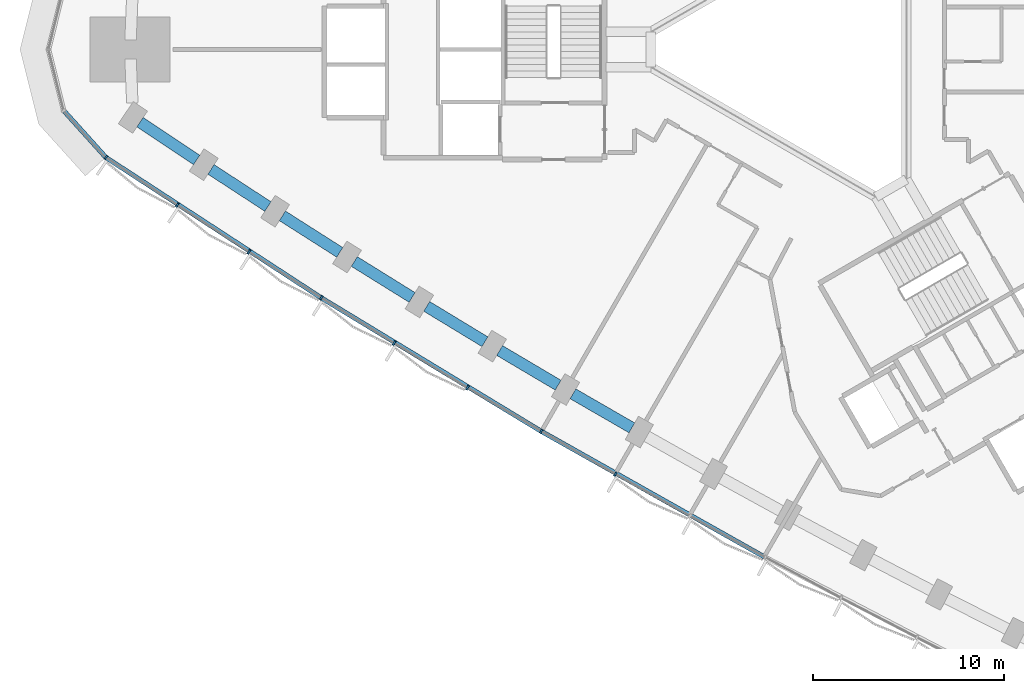
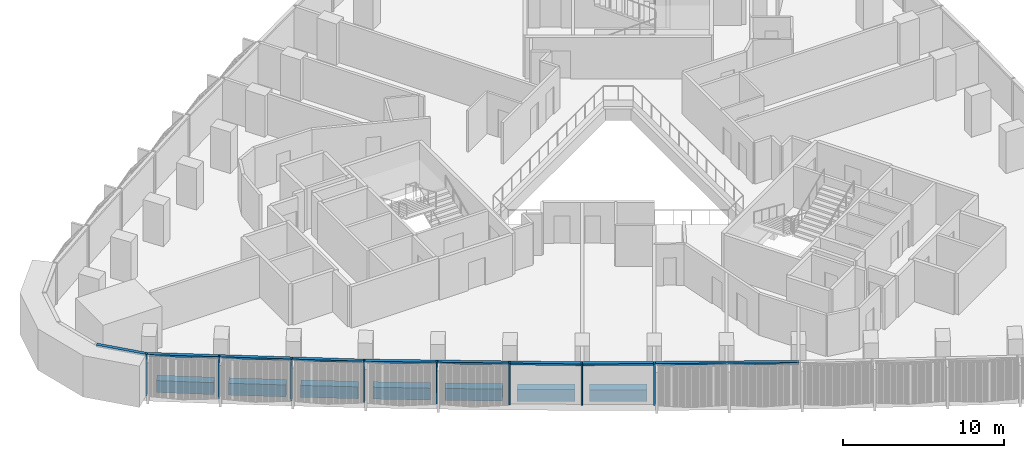
# One storey, part 2 of 15: 12 members, 7 beams, 2 elements without a shape of their own.
"""IFC4 building model written with IfcOpenShell, lengths in metres."""

from ifc_helpers import new_model, si_unit, direction, frame, origin, origin_2d, place, context, subcontext, project, spatial, rectangle, extrude, material, material_profile, profile_set, type_object, element, aggregate, save


model = new_model("IFC4")

# Units and contexts
model_context = context("Model", 3, precision=1e-05, world=origin(), true_north=direction((0.0, 1.0)))
body_context = subcontext(model_context, "Body", "Model", "MODEL_VIEW")
ifc_project = project(units=[si_unit("LENGTHUNIT", "METRE"), si_unit("AREAUNIT", "SQUARE_METRE"), si_unit("VOLUMEUNIT", "CUBIC_METRE"), si_unit("PLANEANGLEUNIT", "RADIAN"), si_unit("MASSUNIT", "GRAM", prefix="KILO")], contexts=[model_context])

# Site, building, storey
site_placement = place(None, origin())
site = spatial("IfcSite", under=ifc_project, at=site_placement, CompositionType="ELEMENT")
building_placement = place(site_placement, origin())
building = spatial("IfcBuilding", under=site, at=building_placement, Name="Tamra Quay Hotel Tower", CompositionType="ELEMENT")
storey_placement = place(building_placement, frame((0.0, 0.0, 53.0)))
storey = spatial("IfcBuildingStorey", under=building, at=storey_placement, Name="L11", CompositionType="ELEMENT", Elevation=53.0)

# Curtain wall, members
ifc_material_1 = material(Name="Aluminium 6063 anodised dark grey", Category="aluminium")
curtain_wall_type_1 = type_object("IfcCurtainWallType", Name="CW3 CURTAIN WALL", PredefinedType="NOTDEFINED", material=ifc_material_1)
curtain_wall_1_placement = place(storey_placement, origin())
curtain_wall_1 = element("IfcCurtainWall", 1, at=curtain_wall_1_placement, inside=storey, type_object=curtain_wall_type_1, Name="CW3 south-west face L11", PredefinedType="NOTDEFINED")
ifc_material_profile_1 = material_profile(ifc_material_1, rectangle(XDim=0.239990234375, YDim=0.10009765625, at=origin_2d()), Name="MULLION 100X240")
ifc_profile_set_1 = profile_set([ifc_material_profile_1], Name="Aluminium 6063 anodised dark grey")
member_type_1 = type_object("IfcMemberType", Name="MULLION CW3 Z1", PredefinedType="MULLION", material=ifc_profile_set_1)
member_1_placement = place(storey_placement, frame((-37.001708984375, -5.6669921875, 0.0), z_axis=(0.0, 0.0, 1.0), x_axis=(-0.654196739281, -0.756324418695, 0.0)))
member_1 = element("IfcMember", 2, at=member_1_placement, type_object=member_type_1, Name="CW3 mullion L11.SW.1", PredefinedType="MULLION", context=body_context, shape_type="SweptSolid", body=[
    extrude(rectangle(XDim=0.239990234375, YDim=0.10009765625, at=origin_2d()), origin(), (0.0, 0.0, 1.0), 3.125),
])
member_2_placement = place(storey_placement, frame((-33.261474609375, -8.162841796875, 0.0), z_axis=(0.0, 0.0, 1.0), x_axis=(-0.550591210923, -0.834775010679, 0.0)))
member_2 = element("IfcMember", 3, at=member_2_placement, type_object=member_type_1, Name="CW3 mullion L11.SW.2", PredefinedType="MULLION", context=body_context, shape_type="SweptSolid", body=[
    extrude(rectangle(XDim=0.239990234375, YDim=0.10009765625, at=origin_2d()), origin(), (0.0, 0.0, 1.0), 3.125),
])
member_3_placement = place(storey_placement, frame((-29.49267578125, -10.61962890625, 0.0), z_axis=(0.0, 0.0, 1.0), x_axis=(-0.541560699791, -0.840661649204, 0.0)))
member_3 = element("IfcMember", 4, at=member_3_placement, type_object=member_type_1, Name="CW3 mullion L11.SW.3", PredefinedType="MULLION", context=body_context, shape_type="SweptSolid", body=[
    extrude(rectangle(XDim=0.239990234375, YDim=0.10009765625, at=origin_2d()), origin(), (0.0, 0.0, 1.0), 3.125),
])
member_4_placement = place(storey_placement, frame((-25.698974609375, -13.03466796875, 0.0), z_axis=(0.0, 0.0, 1.0), x_axis=(-0.532446769932, -0.846463488397, 0.0)))
member_4 = element("IfcMember", 5, at=member_4_placement, type_object=member_type_1, Name="CW3 mullion L11.SW.4", PredefinedType="MULLION", context=body_context, shape_type="SweptSolid", body=[
    extrude(rectangle(XDim=0.239990234375, YDim=0.10009765625, at=origin_2d()), origin(), (0.0, 0.0, 1.0), 3.125),
])
member_5_placement = place(storey_placement, frame((-21.879150390625, -15.40869140625, 0.0), z_axis=(0.0, 0.0, 1.0), x_axis=(-0.523257107809, -0.852174864173, 0.0)))
member_5 = element("IfcMember", 6, at=member_5_placement, type_object=member_type_1, Name="CW3 mullion L11.SW.5", PredefinedType="MULLION", context=body_context, shape_type="SweptSolid", body=[
    extrude(rectangle(XDim=0.239990234375, YDim=0.10009765625, at=origin_2d()), origin(), (0.0, 0.0, 1.0), 3.125),
])
member_6_placement = place(storey_placement, frame((-18.03271484375, -17.741943359375, 0.0), z_axis=(0.0, 0.0, 1.0), x_axis=(-0.514004208519, -0.857787662318, 0.0)))
member_6 = element("IfcMember", 7, at=member_6_placement, type_object=member_type_1, Name="CW3 mullion L11.SW.6", PredefinedType="MULLION", context=body_context, shape_type="SweptSolid", body=[
    extrude(rectangle(XDim=0.239990234375, YDim=0.10009765625, at=origin_2d()), origin(), (0.0, 0.0, 1.0), 3.125),
])
member_7_placement = place(storey_placement, frame((-14.162353515625, -20.03271484375, 0.0), z_axis=(0.0, 0.0, 1.0), x_axis=(-0.504684780346, -0.863303696556, 0.0)))
member_7 = element("IfcMember", 8, at=member_7_placement, type_object=member_type_1, Name="CW3 mullion L11.SW.7", PredefinedType="MULLION", context=body_context, shape_type="SweptSolid", body=[
    extrude(rectangle(XDim=0.239990234375, YDim=0.10009765625, at=origin_2d()), origin(), (0.0, 0.0, 1.0), 3.125),
])
member_8_placement = place(storey_placement, frame((-10.267578125, -22.281494140625, 0.0), z_axis=(0.0, 0.0, 1.0), x_axis=(-0.495300542226, -0.868721688961, 0.0)))
member_8 = element("IfcMember", 9, at=member_8_placement, type_object=member_type_1, Name="CW3 mullion L11.SW.8", PredefinedType="MULLION", context=body_context, shape_type="SweptSolid", body=[
    extrude(rectangle(XDim=0.239990234375, YDim=0.10009765625, at=origin_2d()), origin(), (0.0, 0.0, 1.0), 3.125),
])

# Beams
ifc_material_2 = material(Name="Concrete M60", Category="concrete")
ifc_material_profile_2 = material_profile(ifc_material_2, rectangle(XDim=0.60009765625, YDim=0.89990234375, at=origin_2d()), Name="SPANDREL BEAM RC 600x900")
ifc_profile_set_2 = profile_set([ifc_material_profile_2], Name="Concrete M60")
beam_type = type_object("IfcBeamType", Name="SPANDREL BEAM RC 600x900", PredefinedType="SPANDREL", material=ifc_profile_set_2)
beam_1_placement = place(storey_placement, frame((-35.209228515625, -3.814697265625, -0.925048828125), z_axis=(0.831818807601, -0.555047269448, 0.0), x_axis=(0.555047269448, 0.831818807601, 0.0)))
element("IfcBeam", 10, at=beam_1_placement, inside=storey, type_object=beam_type, Name="BM-SP1-030-L11", PredefinedType="SPANDREL", context=body_context, shape_type="SweptSolid", body=[
    extrude(rectangle(XDim=0.60009765625, YDim=0.89990234375, at=origin_2d()), origin(), (0.0, 0.0, 1.0), 3.57080078125),
])
beam_2_placement = place(storey_placement, frame((-31.48779296875, -6.292236328125, -0.925048828125), z_axis=(0.837739819239, -0.546069588296, 0.0), x_axis=(0.546069588296, 0.837739819239, 0.0)))
element("IfcBeam", 11, at=beam_2_placement, inside=storey, type_object=beam_type, Name="BM-SP1-031-L11", PredefinedType="SPANDREL", context=body_context, shape_type="SweptSolid", body=[
    extrude(rectangle(XDim=0.60009765625, YDim=0.89990234375, at=origin_2d()), origin(), (0.0, 0.0, 1.0), 3.570068359375),
])
beam_3_placement = place(storey_placement, frame((-27.740478515625, -8.729248046875, -0.925048828125), z_axis=(0.843593906333, -0.53698167678, 0.0), x_axis=(0.53698167678, 0.843593906333, 0.0)))
element("IfcBeam", 12, at=beam_3_placement, inside=storey, type_object=beam_type, Name="BM-SP1-032-L11", PredefinedType="SPANDREL", context=body_context, shape_type="SweptSolid", body=[
    extrude(rectangle(XDim=0.60009765625, YDim=0.89990234375, at=origin_2d()), origin(), (0.0, 0.0, 1.0), 3.5703125),
])
beam_4_placement = place(storey_placement, frame((-23.966552734375, -11.125732421875, -0.925048828125), z_axis=(0.849320953317, -0.527876802158, 0.0), x_axis=(0.527876802158, 0.849320953317, 0.0)))
element("IfcBeam", 13, at=beam_4_placement, inside=storey, type_object=beam_type, Name="BM-SP1-033-L11", PredefinedType="SPANDREL", context=body_context, shape_type="SweptSolid", body=[
    extrude(rectangle(XDim=0.60009765625, YDim=0.89990234375, at=origin_2d()), origin(), (0.0, 0.0, 1.0), 3.570556640625),
])
beam_5_placement = place(storey_placement, frame((-20.1669921875, -13.4814453125, -0.925048828125), z_axis=(0.854966252085, -0.518683629775, 0.0), x_axis=(0.518683629775, 0.854966252085, 0.0)))
element("IfcBeam", 14, at=beam_5_placement, inside=storey, type_object=beam_type, Name="BM-SP1-034-L11", PredefinedType="SPANDREL", context=body_context, shape_type="SweptSolid", body=[
    extrude(rectangle(XDim=0.60009765625, YDim=0.89990234375, at=origin_2d()), origin(), (0.0, 0.0, 1.0), 3.56982421875),
])
beam_6_placement = place(storey_placement, frame((-16.3427734375, -15.79541015625, -0.925048828125), z_axis=(0.860524689034, -0.509408735264, 0.0), x_axis=(0.509408735264, 0.860524689034, 0.0)))
element("IfcBeam", 15, at=beam_6_placement, inside=storey, type_object=beam_type, Name="BM-SP1-035-L11", PredefinedType="SPANDREL", context=body_context, shape_type="SweptSolid", body=[
    extrude(rectangle(XDim=0.60009765625, YDim=0.89990234375, at=origin_2d()), origin(), (0.0, 0.0, 1.0), 3.570556640625),
])
beam_7_placement = place(storey_placement, frame((-12.493408203125, -18.068359375, -0.925048828125), z_axis=(0.866017069707, -0.500014434768, 0.0), x_axis=(0.500014434768, 0.866017069707, 0.0)))
element("IfcBeam", 16, at=beam_7_placement, inside=storey, type_object=beam_type, Name="BM-SP1-036-L11", PredefinedType="SPANDREL", context=body_context, shape_type="SweptSolid", body=[
    extrude(rectangle(XDim=0.60009765625, YDim=0.89990234375, at=origin_2d()), origin(), (0.0, 0.0, 1.0), 3.57080078125),
])

# Curtain wall, member
curtain_wall_type_2 = type_object("IfcCurtainWallType", Name="CW2 CURTAIN WALL", PredefinedType="NOTDEFINED", material=ifc_material_1)
curtain_wall_2_placement = place(storey_placement, origin())
curtain_wall_2 = element("IfcCurtainWall", 17, at=curtain_wall_2_placement, inside=storey, type_object=curtain_wall_type_2, Name="CW2 north-west face L11", PredefinedType="NOTDEFINED")
ifc_material_profile_3 = material_profile(ifc_material_1, rectangle(XDim=0.239990234375, YDim=0.139892578125, at=origin_2d()), Name="TRANSOM 240X140")
ifc_profile_set_3 = profile_set([ifc_material_profile_3], Name="Aluminium 6063 anodised dark grey")
member_type_2 = type_object("IfcMemberType", Name="TRANSOM CW2 Z1", PredefinedType="USERDEFINED", material=ifc_profile_set_3)
member_9_placement = place(storey_placement, frame((-39.18115234375, -3.246337890625, 3.054931640625), z_axis=(0.669103504087, -0.743169227577, 0.0), x_axis=(0.743169227577, 0.669103504087, 0.0)))
member_9 = element("IfcMember", 18, at=member_9_placement, type_object=member_type_2, Name="CW2 transom L11.NW.17", ObjectType="TRANSOM", PredefinedType="USERDEFINED", context=body_context, shape_type="SweptSolid", body=[
    extrude(rectangle(XDim=0.239990234375, YDim=0.139892578125, at=origin_2d()), origin(), (0.0, 0.0, 1.0), 3.207275390625),
])
aggregate(curtain_wall_2, [member_9])

# Member
ifc_material_profile_4 = material_profile(ifc_material_1, rectangle(XDim=0.239990234375, YDim=0.139892578125, at=origin_2d()), Name="TRANSOM 240X140")
ifc_profile_set_4 = profile_set([ifc_material_profile_4], Name="Aluminium 6063 anodised dark grey")
member_type_3 = type_object("IfcMemberType", Name="TRANSOM CW3 Z1", PredefinedType="USERDEFINED", material=ifc_profile_set_4)
member_10_placement = place(storey_placement, frame((-36.9599609375, -5.69482421875, 3.054931640625), z_axis=(0.837738597212, -0.546071463036, 0.0), x_axis=(0.546071463036, 0.837738597212, 0.0)))
member_10 = element("IfcMember", 19, at=member_10_placement, type_object=member_type_3, Name="CW3 transom L11.SW.1", ObjectType="TRANSOM", PredefinedType="USERDEFINED", context=body_context, shape_type="SweptSolid", body=[
    extrude(rectangle(XDim=0.239990234375, YDim=0.139892578125, at=origin_2d()), origin(), (0.0, 0.0, 1.0), 13.39208984375),
])

member_11_placement = place(storey_placement, frame((-25.656494140625, -13.061279296875, 3.054931640625), z_axis=(0.854996255935, -0.518634170044, 0.0), x_axis=(0.518634170044, 0.854996255935, 0.0)))
member_11 = element("IfcMember", 20, at=member_11_placement, type_object=member_type_3, Name="CW3 transom L11.SW.4", ObjectType="TRANSOM", PredefinedType="USERDEFINED", context=body_context, shape_type="SweptSolid", body=[
    extrude(rectangle(XDim=0.239990234375, YDim=0.139892578125, at=origin_2d()), origin(), (0.0, 0.0, 1.0), 13.39306640625),
])

member_12_placement = place(storey_placement, frame((-14.119140625, -20.057861328125, 3.054931640625), z_axis=(0.871397788328, -0.490577103518, 0.0), x_axis=(0.490577103518, 0.871397788328, 0.0)))
member_12 = element("IfcMember", 21, at=member_12_placement, type_object=member_type_3, Name="CW3 transom L11.SW.7", ObjectType="TRANSOM", PredefinedType="USERDEFINED", context=body_context, shape_type="SweptSolid", body=[
    extrude(rectangle(XDim=0.239990234375, YDim=0.139892578125, at=origin_2d()), origin(), (0.0, 0.0, 1.0), 13.39306640625),
])

aggregate(curtain_wall_1, [member_1, member_10, member_2, member_3, member_4, member_11, member_5, member_6, member_7, member_12, member_8])

save(model, "model.ifc")
